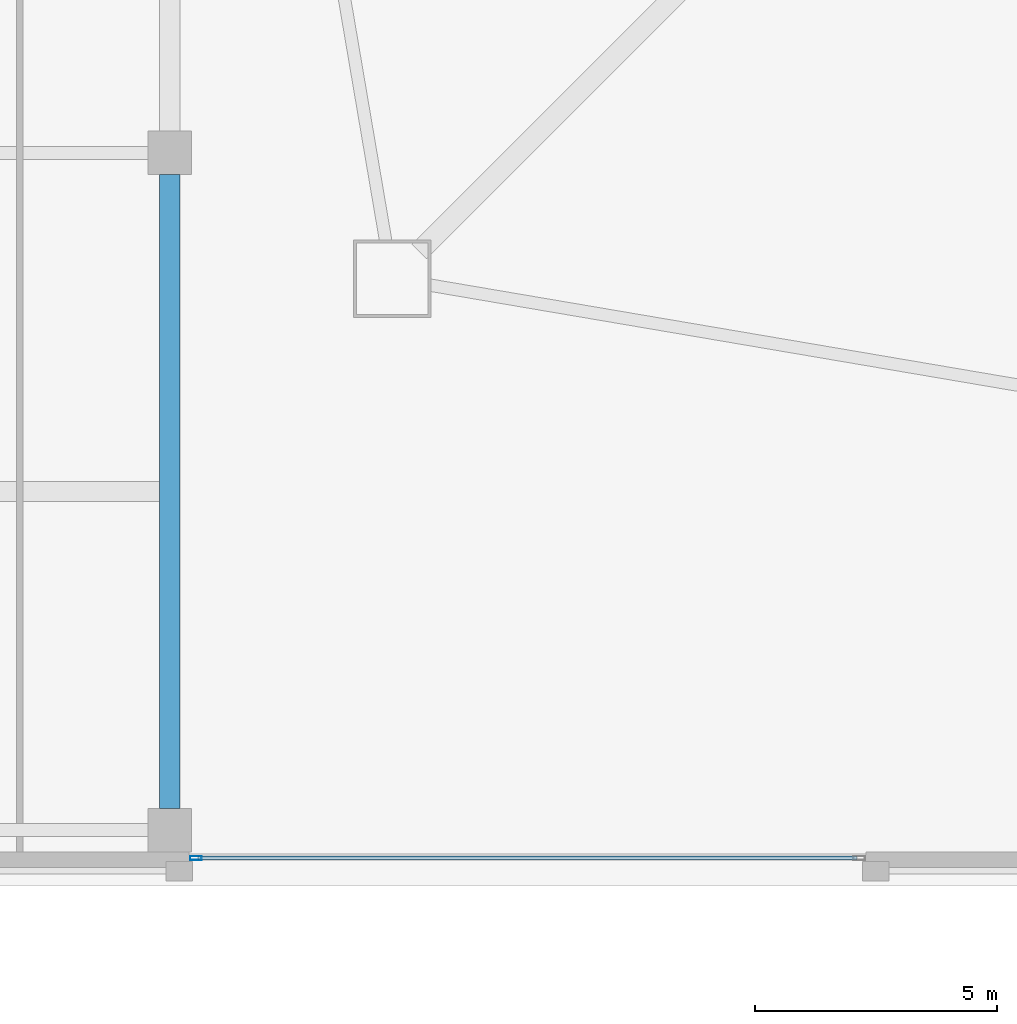
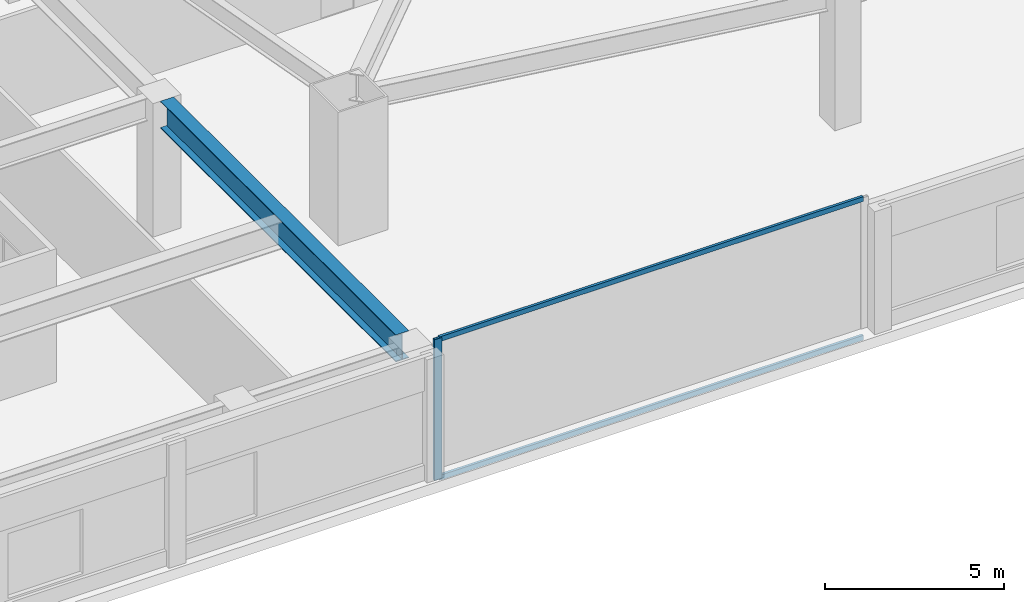
# One storey, part 6 of 44: 3 members, 1 beam, 1 element without a shape of its own.
"""IFC4 building model written with IfcOpenShell, lengths in metres."""

from ifc_helpers import new_model, si_unit, direction, frame, origin, origin_2d, place, context, subcontext, project, spatial, hollow_rectangle, i_section, extrude, material, material_profile, profile_set, type_object, element, aggregate, save


model = new_model("IFC4")

# Units and contexts
model_context = context("Model", 3, precision=1e-05, world=origin(), true_north=direction((0.0, 1.0)))
body_context = subcontext(model_context, "Body", "Model", "MODEL_VIEW")
ifc_project = project(units=[si_unit("LENGTHUNIT", "METRE"), si_unit("AREAUNIT", "SQUARE_METRE"), si_unit("VOLUMEUNIT", "CUBIC_METRE"), si_unit("PLANEANGLEUNIT", "RADIAN"), si_unit("MASSUNIT", "GRAM", prefix="KILO")], contexts=[model_context])

# Site, building, storey
site_placement = place(None, origin())
site = spatial("IfcSite", under=ifc_project, at=site_placement, CompositionType="ELEMENT")
building_placement = place(site_placement, origin())
building = spatial("IfcBuilding", under=site, at=building_placement, Name="Tashvorn Skyway Center", CompositionType="ELEMENT")
storey_placement = place(building_placement, frame((0.0, 0.0, 5.39990234375)))
storey = spatial("IfcBuildingStorey", under=building, at=storey_placement, Name="L01", CompositionType="ELEMENT", Elevation=5.39990234375)

# Beam
ifc_material_1 = material(Name="Steel ASTM A913 Grade 65", Category="steel")
ifc_material_profile_1 = material_profile(ifc_material_1, i_section(OverallWidth=0.4189453125, OverallDepth=0.927001953125, WebThickness=0.019287109375, FlangeThickness=0.031982421875, at=origin_2d()), Name="W36X231")
ifc_profile_set_1 = profile_set([ifc_material_profile_1], Name="Steel ASTM A913 Grade 65")
beam_type = type_object("IfcBeamType", Name="BM-BEAM-W36X231", PredefinedType="BEAM", material=ifc_profile_set_1)
beam_placement = place(storey_placement, frame((17.60009765625, 1.2451171875, 4.07666015625), z_axis=(0.0, 1.0, 0.0), x_axis=(-1.0, 0.0, 0.0)))
element("IfcBeam", 1, at=beam_placement, inside=storey, type_object=beam_type, Name="L01 North-South Podium Girder 02-S", PredefinedType="BEAM", context=body_context, shape_type="SweptSolid", body=[
    extrude(i_section(OverallWidth=0.4189453125, OverallDepth=0.927001953125, WebThickness=0.019287109375, FlangeThickness=0.031982421875, at=origin_2d()), origin(), (0.0, 0.0, 1.0), 13.10986328125),
])

# Curtain wall, members
ifc_material_2 = material(Name="Thermally broken bronze-anodized aluminium 6063-T6", Category="aluminium")
curtain_wall_type = type_object("IfcCurtainWallType", Name="CW-CW-Z1", PredefinedType="NOTDEFINED", material=ifc_material_2)
curtain_wall_placement = place(storey_placement, origin())
curtain_wall = element("IfcCurtainWall", 2, at=curtain_wall_placement, inside=storey, type_object=curtain_wall_type, Name="L01 South Station Arcade Curtain Wall 3", PredefinedType="NOTDEFINED")
ifc_material_profile_2 = material_profile(ifc_material_2, hollow_rectangle(XDim=0.0849609375, YDim=0.239990234375, WallThickness=0.0048828125, at=origin_2d()), Name="ALU-MULL-85x240")
ifc_profile_set_2 = profile_set([ifc_material_profile_2], Name="Thermally broken bronze-anodized aluminium 6063-T6")
member_type_1 = type_object("IfcMemberType", Name="CWM-CW-Z1", PredefinedType="MULLION", material=ifc_profile_set_2)
member_1_placement = place(storey_placement, frame((18.142578125, 0.219970703125, 0.0), z_axis=(0.0, 0.0, 1.0), x_axis=(0.0, -1.0, 0.0)))
member_1 = element("IfcMember", 3, at=member_1_placement, type_object=member_type_1, Name="CW-Z1 mullion 2", PredefinedType="MULLION", context=body_context, shape_type="SweptSolid", body=[
    extrude(hollow_rectangle(XDim=0.0849609375, YDim=0.239990234375, WallThickness=0.0048828125, at=origin_2d()), origin(), (0.0, 0.0, 1.0), 4.800048828125),
])
ifc_material_profile_3 = material_profile(ifc_material_2, hollow_rectangle(XDim=0.0849609375, YDim=0.1650390625, WallThickness=0.0048828125, at=origin_2d()), Name="ALU-TRAN-85x165")
ifc_profile_set_3 = profile_set([ifc_material_profile_3], Name="Thermally broken bronze-anodized aluminium 6063-T6")
member_type_2 = type_object("IfcMemberType", Name="CWT-CW-Z1", PredefinedType="USERDEFINED", material=ifc_profile_set_3)
member_2_placement = place(storey_placement, frame((31.81494140625, 0.219970703125, 0.04248046875), z_axis=(-1.0, 0.0, 0.0), x_axis=(0.0, -1.0, 0.0)))
member_2 = element("IfcMember", 4, at=member_2_placement, type_object=member_type_2, Name="CW-Z1 transom 1.1", ObjectType="TRANSOM", PredefinedType="USERDEFINED", context=body_context, shape_type="SweptSolid", body=[
    extrude(hollow_rectangle(XDim=0.0849609375, YDim=0.1650390625, WallThickness=0.0048828125, at=origin_2d()), origin(), (0.0, 0.0, 1.0), 13.6298828125),
])
member_3_placement = place(storey_placement, frame((31.81494140625, 0.219970703125, 4.757568359375), z_axis=(-1.0, 0.0, 0.0), x_axis=(0.0, -1.0, 0.0)))
member_3 = element("IfcMember", 5, at=member_3_placement, type_object=member_type_2, Name="CW-Z1 transom 1.2", ObjectType="TRANSOM", PredefinedType="USERDEFINED", context=body_context, shape_type="SweptSolid", body=[
    extrude(hollow_rectangle(XDim=0.0849609375, YDim=0.1650390625, WallThickness=0.0048828125, at=origin_2d()), origin(), (0.0, 0.0, 1.0), 13.6298828125),
])
aggregate(curtain_wall, [member_1, member_2, member_3])

save(model, "model.ifc")
